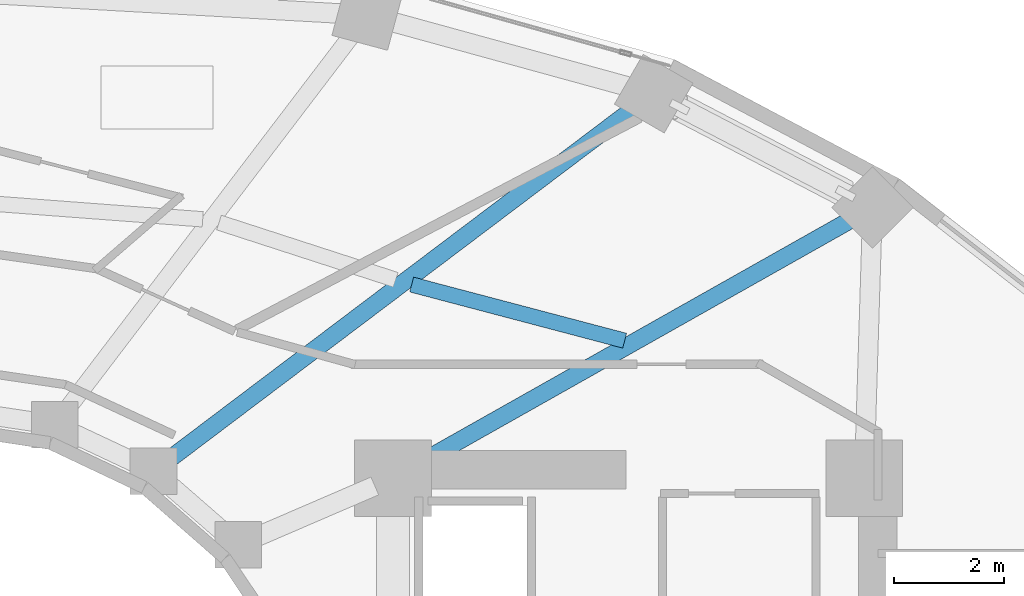
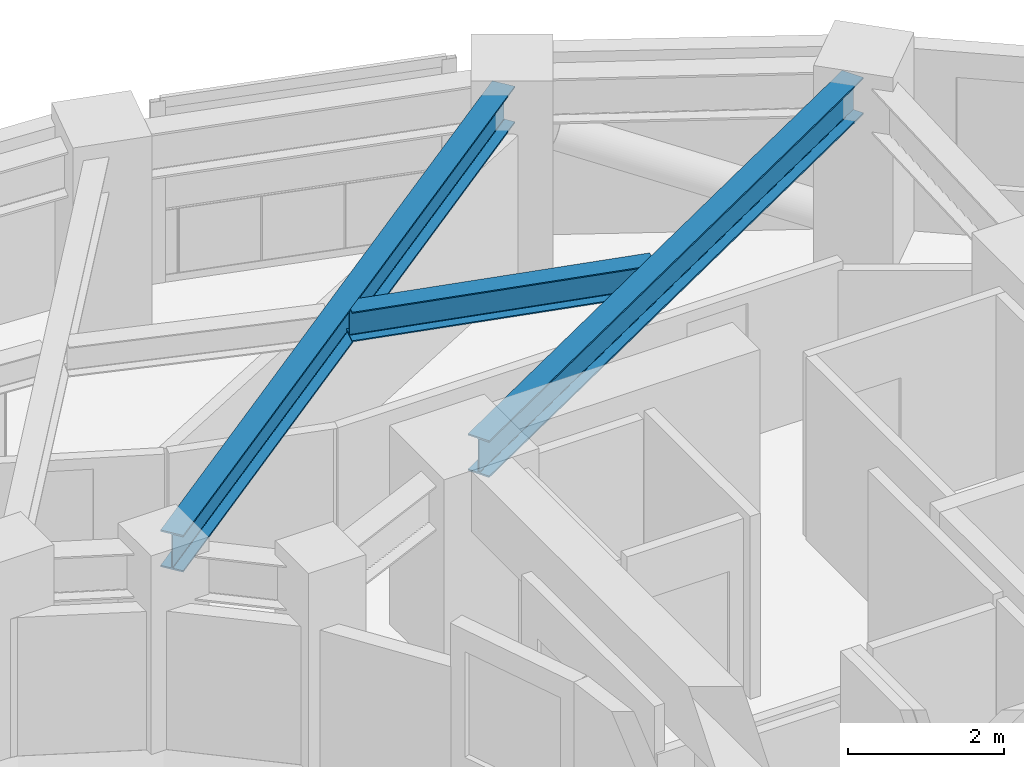
# One storey, part 6 of 18: 3 beams.
"""IFC4 building model written with IfcOpenShell, lengths in metres."""

from ifc_helpers import new_model, si_unit, direction, frame, origin, origin_2d, place, context, subcontext, project, spatial, i_section, extrude, material, material_profile, profile_set, type_object, element, save


model = new_model("IFC4")

# Units and contexts
model_context = context("Model", 3, precision=1e-05, world=origin(), true_north=direction((0.0, 1.0)))
body_context = subcontext(model_context, "Body", "Model", "MODEL_VIEW")
ifc_project = project(units=[si_unit("LENGTHUNIT", "METRE"), si_unit("AREAUNIT", "SQUARE_METRE"), si_unit("VOLUMEUNIT", "CUBIC_METRE"), si_unit("PLANEANGLEUNIT", "RADIAN"), si_unit("MASSUNIT", "GRAM", prefix="KILO")], contexts=[model_context])

# Site, building, storey
site_placement = place(None, origin())
site = spatial("IfcSite", under=ifc_project, at=site_placement, CompositionType="ELEMENT")
building_placement = place(site_placement, origin())
building = spatial("IfcBuilding", under=site, at=building_placement, Name="Solvane Sanctuary Tower", CompositionType="ELEMENT")
storey_placement = place(building_placement, frame((0.0, 0.0, 94.89990234375)))
storey = spatial("IfcBuildingStorey", under=building, at=storey_placement, Name="L28", CompositionType="ELEMENT", Elevation=94.89990234375)

# Beams
ifc_material = material(Name="Steel ASTM A992 Grade 50", Category="steel")
ifc_material_profile_1 = material_profile(ifc_material, i_section(OverallWidth=0.31494140625, OverallDepth=0.575927734375, WebThickness=0.01513671875, FlangeThickness=0.0244140625, FilletRadius=0.014892578125, at=origin_2d()), Name="W21X122")
ifc_profile_set_1 = profile_set([ifc_material_profile_1], Name="Steel ASTM A992 Grade 50")
beam_type_1 = type_object("IfcBeamType", Name="Beam B-RAD-Z2 W21X122", PredefinedType="BEAM", material=ifc_profile_set_1)
beam_1_placement = place(storey_placement, frame((40.41357421875, 30.376953125, 2.590087890625), z_axis=(0.870960247151, 0.491353485673, 0.0), x_axis=(-0.491353485673, 0.870960247151, 0.0)))
element("IfcBeam", 1, at=beam_1_placement, inside=storey, type_object=beam_type_1, Name="L28 Radial Composite Floor Beam 01", PredefinedType="BEAM", context=body_context, shape_type="SweptSolid", body=[
    extrude(i_section(OverallWidth=0.31494140625, OverallDepth=0.575927734375, WebThickness=0.01513671875, FlangeThickness=0.0244140625, FilletRadius=0.014892578125, at=origin_2d()), origin(), (0.0, 0.0, 1.0), 9.409912109375),
])
beam_2_placement = place(storey_placement, frame((35.95361328125, 30.495361328125, 2.590087890625), z_axis=(0.798116040134, 0.602503764703, 0.0), x_axis=(-0.602503764703, 0.798116040134, 0.0)))
element("IfcBeam", 2, at=beam_2_placement, inside=storey, type_object=beam_type_1, Name="L28 Radial Composite Floor Beam 02", PredefinedType="BEAM", context=body_context, shape_type="SweptSolid", body=[
    extrude(i_section(OverallWidth=0.31494140625, OverallDepth=0.575927734375, WebThickness=0.01513671875, FlangeThickness=0.0244140625, FilletRadius=0.014892578125, at=origin_2d()), origin(), (0.0, 0.0, 1.0), 10.876953125),
])
ifc_material_profile_2 = material_profile(ifc_material, i_section(OverallWidth=0.280029296875, OverallDepth=0.462890625, WebThickness=0.0107421875, FlangeThickness=0.017333984375, FilletRadius=0.013916015625, at=origin_2d()), Name="W18X76")
ifc_profile_set_2 = profile_set([ifc_material_profile_2], Name="Steel ASTM A992 Grade 50")
beam_type_2 = type_object("IfcBeamType", Name="Beam B-SEC-JOIST W18X76", PredefinedType="JOIST", material=ifc_profile_set_2)
beam_3_placement = place(storey_placement, frame((40.441650390625, 33.733154296875, 2.646484375), z_axis=(0.966943832831, -0.2549894589, 0.0), x_axis=(0.2549894589, 0.966943832831, 0.0)))
element("IfcBeam", 3, at=beam_3_placement, inside=storey, type_object=beam_type_2, Name="L28 Secondary Circumferential Joist 02-01", PredefinedType="JOIST", context=body_context, shape_type="SweptSolid", body=[
    extrude(i_section(OverallWidth=0.280029296875, OverallDepth=0.462890625, WebThickness=0.0107421875, FlangeThickness=0.017333984375, FilletRadius=0.013916015625, at=origin_2d()), origin(), (0.0, 0.0, 1.0), 4.020263671875),
])

save(model, "model.ifc")
